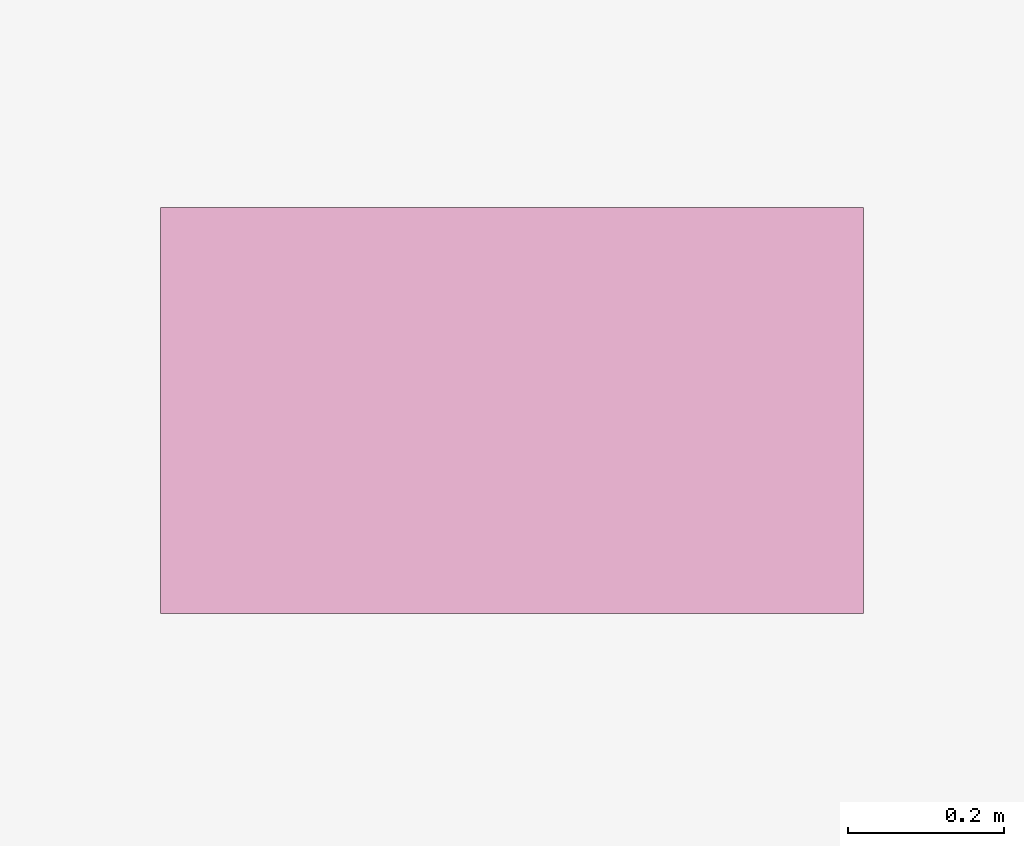
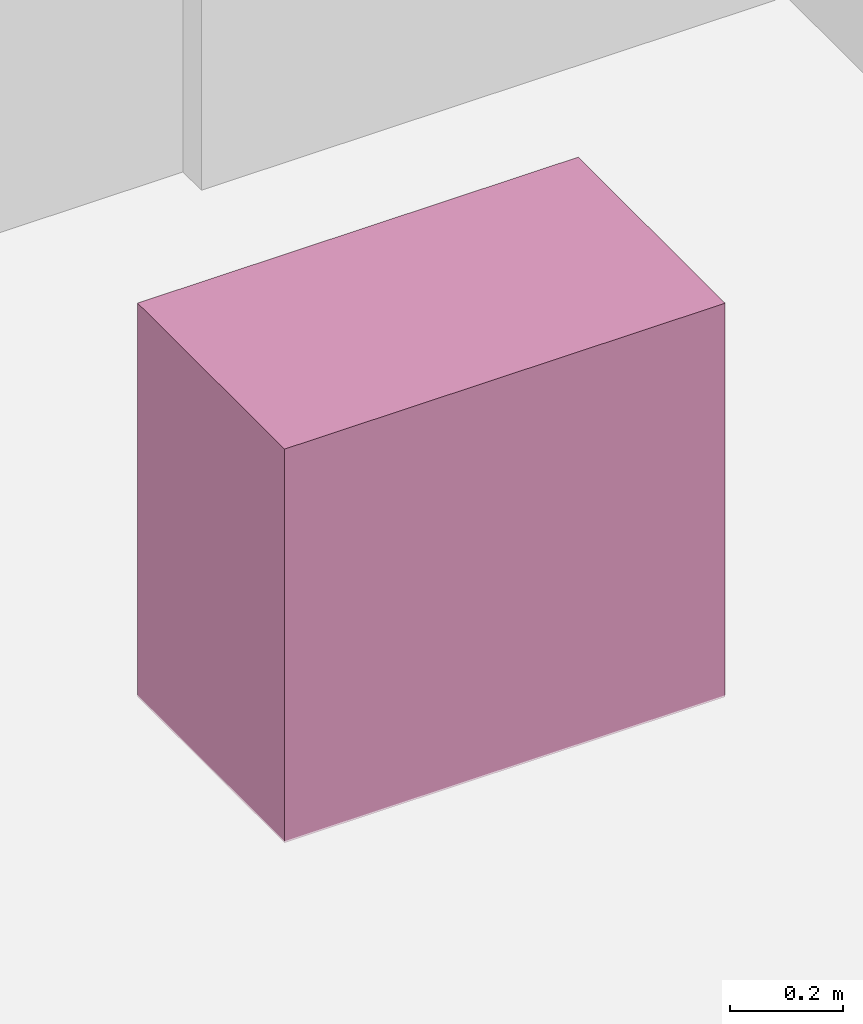
# One storey, part 30 of 30: 1 furnishing.
"""IFC4 building model written with IfcOpenShell, lengths in metres."""

import ifcopenshell
import ifcopenshell.guid

model = None  # the IFC model being written
_history = None  # IfcOwnerHistory: only IFC2X3 demands one
_inside = {}  # id of a spatial element -> (the spatial element, [elements in it])
_under = {}  # id of a project, library or spatial element -> (it, [spatial elements below it])
_declared = {}  # id of a project -> (the project, [libraries it declares])
_typed = {}  # id of a type object -> (the type object, [elements of that type])
_made_of = {}  # id of a material, layer set ... -> (it, [elements and type objects made of it])


def new_model(schema):
    """Start an empty IFC model of exactly this schema.

    Asked for "IFC4X3", IfcOpenShell would pick the latest addendum, in which some entities
    have other attributes; the version numbers below select the first issue.
    IFC2X3 requires an IfcOwnerHistory on every rooted entity: one is made here for all.
    """
    global model, _history
    if schema == "IFC4X3":
        model = ifcopenshell.file(schema_version=(4, 3, 0, 0))
    else:
        model = ifcopenshell.file(schema=schema)
    _inside.clear()
    _under.clear()
    _declared.clear()
    _typed.clear()
    _made_of.clear()
    _history = None
    if model.schema == "IFC2X3":
        org = make("IfcOrganization", Name="unknown")
        user = make(
            "IfcPersonAndOrganization",
            ThePerson=make("IfcPerson", FamilyName="unknown"),
            TheOrganization=org,
        )
        app = make(
            "IfcApplication",
            ApplicationDeveloper=org,
            Version="unknown",
            ApplicationFullName="unknown",
            ApplicationIdentifier="unknown",
        )
        _history = make(
            "IfcOwnerHistory",
            OwningUser=user,
            OwningApplication=app,
            ChangeAction="ADDED",
            CreationDate=0,
        )
    return model


def make(cls, **values):
    """One entity of the class cls with the attributes given. An attribute that is None is left unset."""
    return model.create_entity(
        cls, **{name: value for name, value in values.items() if value is not None}
    )


def rooted(cls, **values):
    """An entity with a GlobalId (a new one), such as an element, a storey or a relation."""
    return make(cls, GlobalId=ifcopenshell.guid.new(), OwnerHistory=_history, **values)


def si_unit(unit_type, name, prefix=None):
    """IfcSIUnit, for example si_unit("LENGTHUNIT", "METRE", prefix="MILLI")."""
    return make("IfcSIUnit", UnitType=unit_type, Prefix=prefix, Name=name)


def assignment(units):
    """IfcUnitAssignment: the units of a project."""
    return None if units is None else make("IfcUnitAssignment", Units=units)


def point(xyz):
    """IfcCartesianPoint."""
    return None if xyz is None else make("IfcCartesianPoint", Coordinates=xyz)


def direction(xyz):
    """IfcDirection."""
    return None if xyz is None else make("IfcDirection", DirectionRatios=xyz)


def frame(location, z_axis=None, x_axis=None):
    """IfcAxis2Placement3D, a coordinate frame: its origin and axes. An axis left out is left unset."""
    return make(
        "IfcAxis2Placement3D",
        Location=point(location),
        Axis=direction(z_axis),
        RefDirection=direction(x_axis),
    )


def frame_2d(location, x_axis=None):
    """IfcAxis2Placement2D, a coordinate frame in the plane: its origin and x axis."""
    return make(
        "IfcAxis2Placement2D", Location=point(location), RefDirection=direction(x_axis)
    )


def origin():
    """The frame at (0, 0, 0) with its axes left unset."""
    return frame((0.0, 0.0, 0.0))


def origin_2d():
    """The frame at (0, 0) in the plane with its x axis left unset."""
    return frame_2d((0.0, 0.0))


def place(relative_to, where):
    """IfcLocalPlacement: puts the frame where relative to a parent placement (None: the world)."""
    return make(
        "IfcLocalPlacement", PlacementRelTo=relative_to, RelativePlacement=where
    )


def context(
    kind, dimensions, precision=None, world=None, true_north=None, identifier=None
):
    """IfcGeometricRepresentationContext, for example the 3D "Model" context."""
    return make(
        "IfcGeometricRepresentationContext",
        ContextIdentifier=identifier,
        ContextType=kind,
        CoordinateSpaceDimension=dimensions,
        Precision=precision,
        WorldCoordinateSystem=world,
        TrueNorth=true_north,
    )


def subcontext(parent, identifier, kind, view, scale=None):
    """IfcGeometricRepresentationSubContext, for example "Body" below "Model"."""
    return make(
        "IfcGeometricRepresentationSubContext",
        ContextIdentifier=identifier,
        ContextType=kind,
        ParentContext=parent,
        TargetScale=scale,
        TargetView=view,
    )


def project(units=None, contexts=None):
    """IfcProject with its units and contexts."""
    return rooted(
        "IfcProject",
        Name="project",
        RepresentationContexts=contexts,
        UnitsInContext=assignment(units),
    )


def spatial(cls, under=None, at=None, **own):
    """A site, building, storey or space (cls), placed at a placement, below another one or the project."""
    s = rooted(cls, ObjectPlacement=at, **own)
    if under is not None:
        _under.setdefault(under.id(), (under, []))[1].append(s)
    return s


def profile(cls, at=None, kind="AREA", **sizes):
    """A parametric profile (cls). Its sizes go by their IFC names, for example OverallWidth=200.0."""
    return make(cls, ProfileType=kind, Position=at, **sizes)


def rectangle(**sizes):
    """IfcRectangleProfileDef."""
    return profile("IfcRectangleProfileDef", **sizes)


def extrude(swept, where, along, depth):
    """IfcExtrudedAreaSolid: the profile swept, set in the frame where, extruded along a direction by depth."""
    return make(
        "IfcExtrudedAreaSolid",
        SweptArea=swept,
        Position=where,
        ExtrudedDirection=direction(along),
        Depth=depth,
    )


def shape(context_of_items, identifier, shape_type, items):
    """IfcShapeRepresentation: the items that make up one representation, for example the "Body"."""
    return make(
        "IfcShapeRepresentation",
        ContextOfItems=context_of_items,
        RepresentationIdentifier=identifier,
        RepresentationType=shape_type,
        Items=items,
    )


def material(Name=None, Category=None):
    """IfcMaterial."""
    return make("IfcMaterial", Name=Name, Category=Category)


def made_of(thing, what):
    """Note that an element or type object is made of a material, layer set ...; save() writes the relation."""
    if what is not None:
        _made_of.setdefault(what.id(), (what, []))[1].append(thing)
    return thing


def type_object(cls, material=None, **own):
    """A type object (cls), such as IfcWallType, which elements share."""
    return made_of(rooted(cls, **own), material)


def element(
    cls,
    number,
    at=None,
    inside=None,
    cuts=None,
    type_object=None,
    material=None,
    context=None,
    identifier="Body",
    shape_type=None,
    held_by="IfcProductDefinitionShape",
    body=None,
    shapes=None,
    **own,
):
    """One element of the class cls, such as IfcWall. Its Tag is "e" and its number.

    at: its placement. inside: the storey or other place that contains it. cuts: it is an
    opening in that element (IfcRelVoidsElement). A single representation is given by context,
    identifier, shape_type and body (its items); several are given by shapes. held_by: the class
    of the entity that holds the representations. save() writes the other relations.
    """
    e = rooted(cls, Tag="e%d" % number, ObjectPlacement=at, **own)
    if body is not None:
        shapes = [shape(context, identifier, shape_type, body)]
    if shapes is not None:
        e.Representation = make(held_by, Representations=shapes)
    if inside is not None:
        _inside.setdefault(inside.id(), (inside, []))[1].append(e)
    if cuts is not None:
        rooted(
            "IfcRelVoidsElement", RelatingBuildingElement=cuts, RelatedOpeningElement=e
        )
    if type_object is not None:
        _typed.setdefault(type_object.id(), (type_object, []))[1].append(e)
    return made_of(e, material)


def aggregate(whole, parts):
    """IfcRelAggregates: a whole, such as a stair, and the parts it consists of."""
    return rooted("IfcRelAggregates", RelatingObject=whole, RelatedObjects=parts)


def save(model, path):
    """Write the relations noted so far, then the file.

    IfcRelAggregates (storeys below a building ...), IfcRelContainedInSpatialStructure (elements
    in a storey), IfcRelDefinesByType, IfcRelAssociatesMaterial and IfcRelDeclares: one each for
    every whole, place, type object, material and project.
    """
    for whole, parts in _under.values():
        aggregate(whole, parts)
    for where, things in _inside.values():
        rooted(
            "IfcRelContainedInSpatialStructure",
            RelatedElements=things,
            RelatingStructure=where,
        )
    for kind, things in _typed.values():
        rooted("IfcRelDefinesByType", RelatedObjects=things, RelatingType=kind)
    for what, things in _made_of.values():
        rooted("IfcRelAssociatesMaterial", RelatedObjects=things, RelatingMaterial=what)
    for by, libraries in _declared.values():
        rooted("IfcRelDeclares", RelatingContext=by, RelatedDefinitions=libraries)
    model.write(path)


model = new_model("IFC4")

# Units and contexts
model_context = context("Model", 3, precision=1e-05, world=origin(), true_north=direction((0.0, 1.0)))
body_context = subcontext(model_context, "Body", "Model", "MODEL_VIEW")
ifc_project = project(units=[si_unit("LENGTHUNIT", "METRE"), si_unit("AREAUNIT", "SQUARE_METRE"), si_unit("VOLUMEUNIT", "CUBIC_METRE"), si_unit("PLANEANGLEUNIT", "RADIAN"), si_unit("MASSUNIT", "GRAM", prefix="KILO")], contexts=[model_context])

# Site, building, storey
site_placement = place(None, origin())
site = spatial("IfcSite", under=ifc_project, at=site_placement, CompositionType="ELEMENT")
building_placement = place(site_placement, origin())
building = spatial("IfcBuilding", under=site, at=building_placement, Name="Vorneva Point Tower", CompositionType="ELEMENT")
storey_placement = place(building_placement, frame((0.0, 0.0, 252.0)))
storey = spatial("IfcBuildingStorey", under=building, at=storey_placement, Name="L68", CompositionType="ELEMENT", Elevation=252.0)

# Furnishing
ifc_material = material(Name="Vitreous china and granite top", Category="masonry")
furniture_type = type_object("IfcFurnitureType", Name="FUR-VAN-900", AssemblyPlace="NOTDEFINED", PredefinedType="NOTDEFINED", material=ifc_material)
furnishing_placement = place(storey_placement, frame((37.97509765625, 32.1201171875, -0.005126953125), z_axis=(0.0, 0.0, 1.0), x_axis=(1.0, 0.0, 0.0)))
element("IfcFurnishingElement", 1, at=furnishing_placement, inside=storey, type_object=furniture_type, Name="L68 Accessible WC Vanity Unit", ObjectType="L68 Accessible WC Vanity Unit", context=body_context, shape_type="SweptSolid", body=[
    extrude(rectangle(XDim=0.89990234375, YDim=0.52001953125, at=origin_2d()), origin(), (0.0, 0.0, 1.0), 0.85009765625),
])

save(model, "model.ifc")
